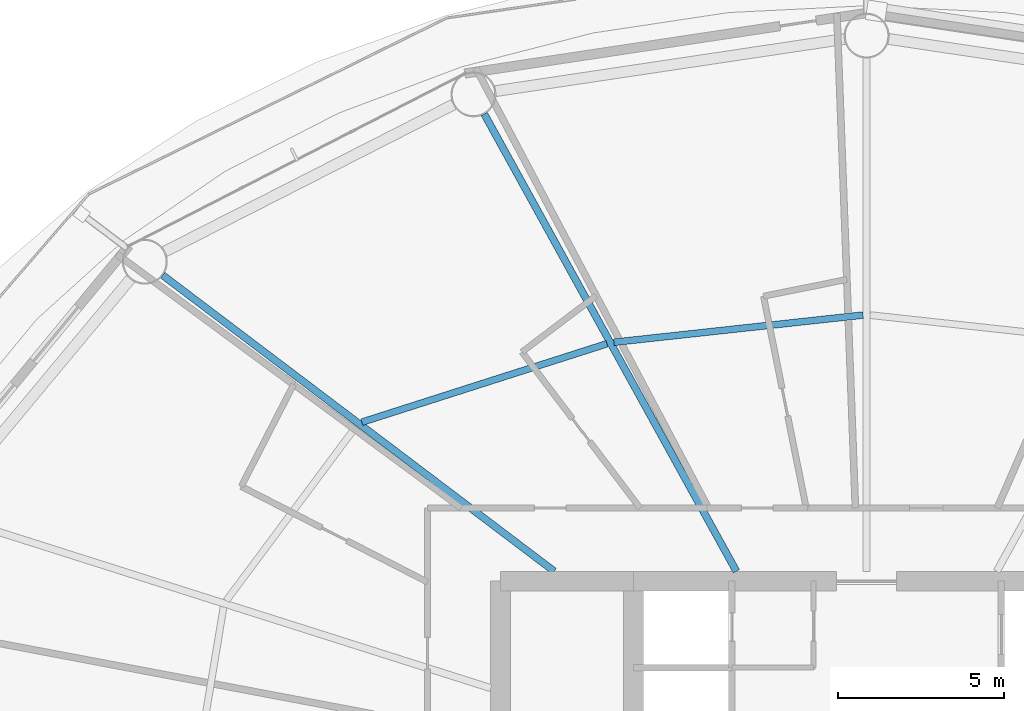
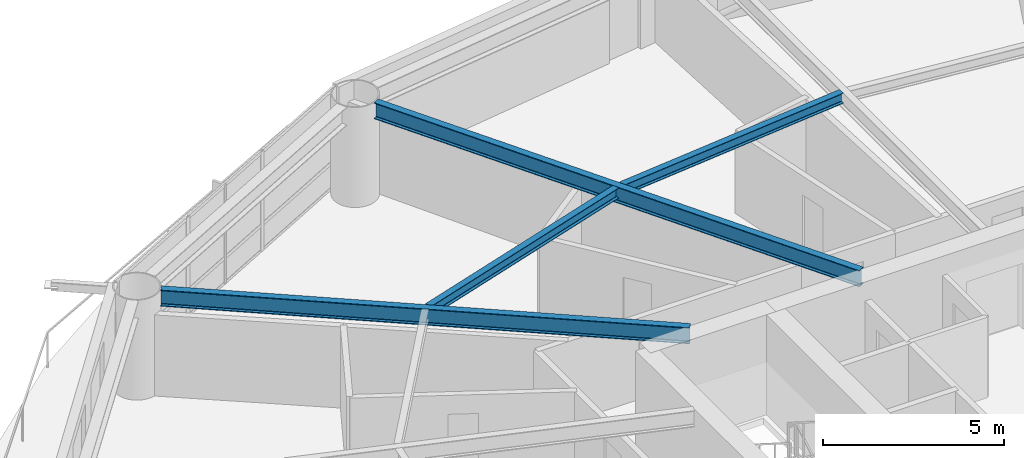
# One storey, part 11 of 26: 4 beams.
"""IFC4 building model written with IfcOpenShell, lengths in metres."""

from ifc_helpers import new_model, si_unit, direction, frame, origin, origin_2d, place, context, subcontext, project, spatial, i_section, extrude, material, material_profile, profile_set, type_object, element, save


model = new_model("IFC4")

# Units and contexts
model_context = context("Model", 3, precision=1e-05, world=origin(), true_north=direction((0.0, 1.0)))
body_context = subcontext(model_context, "Body", "Model", "MODEL_VIEW")
ifc_project = project(units=[si_unit("LENGTHUNIT", "METRE"), si_unit("AREAUNIT", "SQUARE_METRE"), si_unit("VOLUMEUNIT", "CUBIC_METRE"), si_unit("PLANEANGLEUNIT", "RADIAN"), si_unit("MASSUNIT", "GRAM", prefix="KILO")], contexts=[model_context])

# Site, building, storey
site_placement = place(None, origin())
site = spatial("IfcSite", under=ifc_project, at=site_placement, CompositionType="ELEMENT")
building_placement = place(site_placement, origin())
building = spatial("IfcBuilding", under=site, at=building_placement, Name="Sarneth Arch Tower", CompositionType="ELEMENT")
storey_placement = place(building_placement, frame((0.0, 0.0, 42.60009765625)))
storey = spatial("IfcBuildingStorey", under=building, at=storey_placement, Name="L09", CompositionType="ELEMENT", Elevation=42.60009765625)

# Beams
ifc_material_1 = material(Name="Steel S355", Category="steel")
ifc_material_profile_1 = material_profile(ifc_material_1, i_section(OverallWidth=0.2041015625, OverallDepth=0.35009765625, WebThickness=0.008544921875, FlangeThickness=0.01513671875, FilletRadius=0.014892578125, at=origin_2d()), Name="W360x72")
ifc_profile_set_1 = profile_set([ifc_material_profile_1], Name="Steel S355")
beam_type_1 = type_object("IfcBeamType", Name="BM-JOIST-360D", PredefinedType="JOIST", material=ifc_profile_set_1)
beam_1_placement = place(storey_placement, frame((47.8935546875, 56.80078125, 3.204833984375), z_axis=(-0.994095251924, -0.108510967657, 0.0), x_axis=(0.108510967657, -0.994095251924, 0.0)))
element("IfcBeam", 1, at=beam_1_placement, inside=storey, type_object=beam_type_1, Name="L09 Secondary floor joist 05", PredefinedType="JOIST", context=body_context, shape_type="SweptSolid", body=[
    extrude(i_section(OverallWidth=0.2041015625, OverallDepth=0.35009765625, WebThickness=0.008544921875, FlangeThickness=0.01513671875, FilletRadius=0.014892578125, at=origin_2d()), origin(), (0.0, 0.0, 1.0), 7.534912109375),
])
beam_2_placement = place(storey_placement, frame((40.19482421875, 55.938720703125, 3.204833984375), z_axis=(-0.952436240143, -0.304737934073, 0.0), x_axis=(0.304737934073, -0.952436240143, 0.0)))
element("IfcBeam", 2, at=beam_2_placement, inside=storey, type_object=beam_type_1, Name="L09 Secondary floor joist 06", PredefinedType="JOIST", context=body_context, shape_type="SweptSolid", body=[
    extrude(i_section(OverallWidth=0.2041015625, OverallDepth=0.35009765625, WebThickness=0.008544921875, FlangeThickness=0.01513671875, FilletRadius=0.014892578125, at=origin_2d()), origin(), (0.0, 0.0, 1.0), 7.735107421875),
])
ifc_material_2 = material(Name="Steel S355", Category="steel")
ifc_material_profile_2 = material_profile(ifc_material_2, i_section(OverallWidth=0.214111328125, OverallDepth=0.549072265625, WebThickness=0.0146484375, FlangeThickness=0.023681640625, FilletRadius=0.01806640625, at=origin_2d()), Name="W530x138")
ifc_profile_set_2 = profile_set([ifc_material_profile_2], Name="Steel S355")
beam_type_2 = type_object("IfcBeamType", Name="BM-RAD-530A", PredefinedType="BEAM", material=ifc_profile_set_2)
beam_3_placement = place(storey_placement, frame((44.08544921875, 49.10009765625, 3.10546875), z_axis=(-0.482837562311, 0.875709933952, 0.0), x_axis=(-0.875709933952, -0.482837562311, 0.0)))
element("IfcBeam", 3, at=beam_3_placement, inside=storey, type_object=beam_type_2, Name="L09 Radial floor girder 06", PredefinedType="BEAM", context=body_context, shape_type="SweptSolid", body=[
    extrude(i_section(OverallWidth=0.214111328125, OverallDepth=0.549072265625, WebThickness=0.0146484375, FlangeThickness=0.023681640625, FilletRadius=0.01806640625, at=origin_2d()), origin(), (0.0, 0.0, 1.0), 15.693359375),
])
beam_4_placement = place(storey_placement, frame((38.609619140625, 49.10009765625, 3.10546875), z_axis=(-0.797656612852, 0.603111870198, 0.0), x_axis=(-0.603111870198, -0.797656612852, 0.0)))
element("IfcBeam", 4, at=beam_4_placement, inside=storey, type_object=beam_type_2, Name="L09 Radial floor girder 07", PredefinedType="BEAM", context=body_context, shape_type="SweptSolid", body=[
    extrude(i_section(OverallWidth=0.214111328125, OverallDepth=0.549072265625, WebThickness=0.0146484375, FlangeThickness=0.023681640625, FilletRadius=0.01806640625, at=origin_2d()), origin(), (0.0, 0.0, 1.0), 14.7529296875),
])

save(model, "model.ifc")
